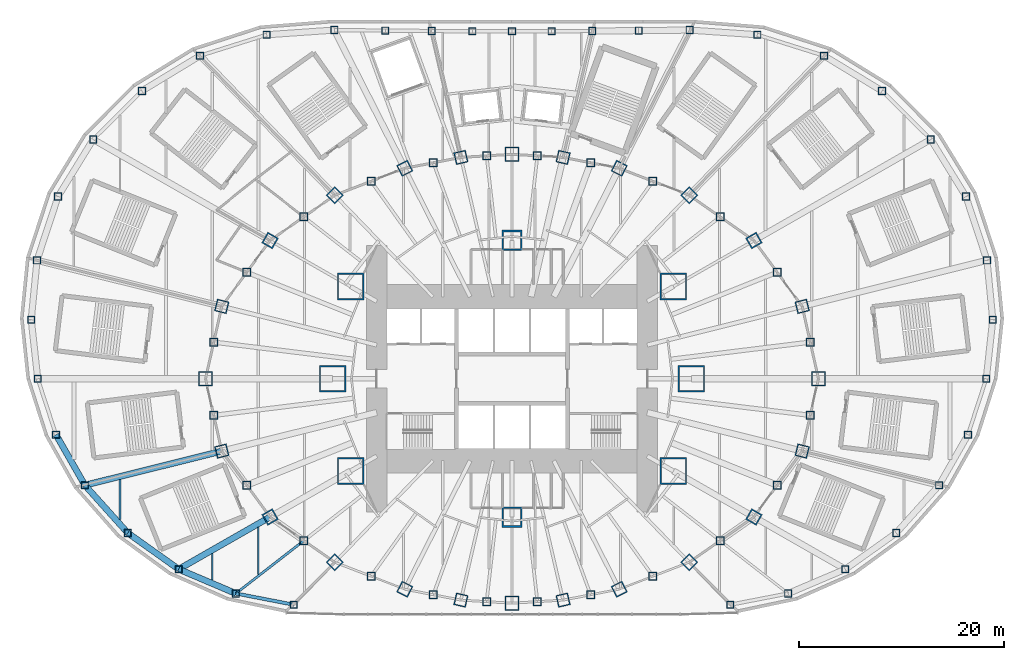
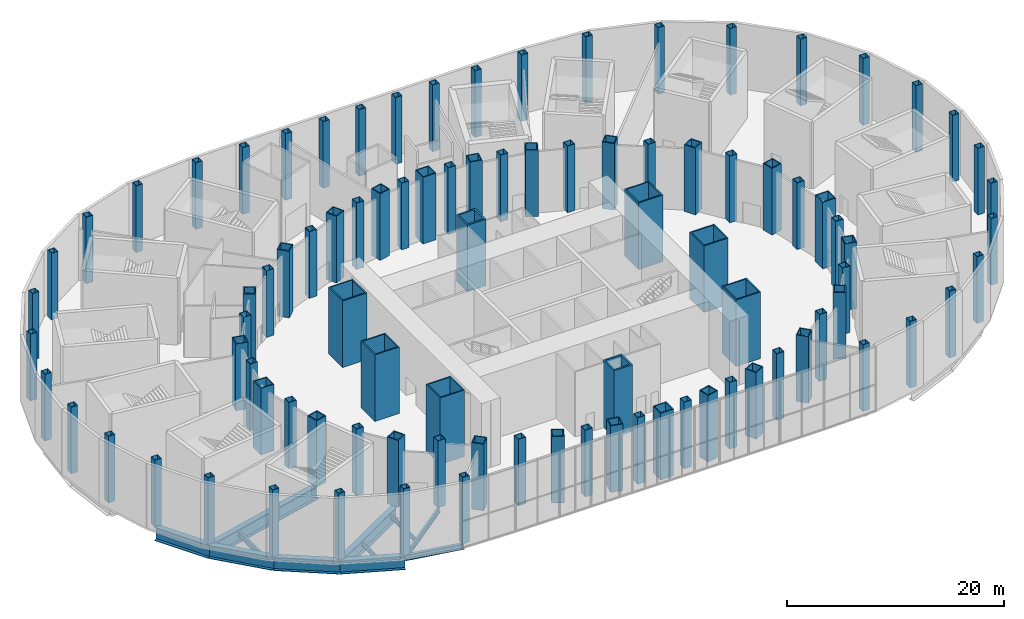
# One storey, part 1 of 73: 93 columns, 11 beams.
"""IFC4 building model written with IfcOpenShell, lengths in metres."""

import ifcopenshell
import ifcopenshell.guid

model = None  # the IFC model being written
_history = None  # IfcOwnerHistory: only IFC2X3 demands one
_inside = {}  # id of a spatial element -> (the spatial element, [elements in it])
_under = {}  # id of a project, library or spatial element -> (it, [spatial elements below it])
_declared = {}  # id of a project -> (the project, [libraries it declares])
_typed = {}  # id of a type object -> (the type object, [elements of that type])
_made_of = {}  # id of a material, layer set ... -> (it, [elements and type objects made of it])


def new_model(schema):
    """Start an empty IFC model of exactly this schema.

    Asked for "IFC4X3", IfcOpenShell would pick the latest addendum, in which some entities
    have other attributes; the version numbers below select the first issue.
    IFC2X3 requires an IfcOwnerHistory on every rooted entity: one is made here for all.
    """
    global model, _history
    if schema == "IFC4X3":
        model = ifcopenshell.file(schema_version=(4, 3, 0, 0))
    else:
        model = ifcopenshell.file(schema=schema)
    _inside.clear()
    _under.clear()
    _declared.clear()
    _typed.clear()
    _made_of.clear()
    _history = None
    if model.schema == "IFC2X3":
        org = make("IfcOrganization", Name="unknown")
        user = make(
            "IfcPersonAndOrganization",
            ThePerson=make("IfcPerson", FamilyName="unknown"),
            TheOrganization=org,
        )
        app = make(
            "IfcApplication",
            ApplicationDeveloper=org,
            Version="unknown",
            ApplicationFullName="unknown",
            ApplicationIdentifier="unknown",
        )
        _history = make(
            "IfcOwnerHistory",
            OwningUser=user,
            OwningApplication=app,
            ChangeAction="ADDED",
            CreationDate=0,
        )
    return model


def make(cls, **values):
    """One entity of the class cls with the attributes given. An attribute that is None is left unset."""
    return model.create_entity(
        cls, **{name: value for name, value in values.items() if value is not None}
    )


def rooted(cls, **values):
    """An entity with a GlobalId (a new one), such as an element, a storey or a relation."""
    return make(cls, GlobalId=ifcopenshell.guid.new(), OwnerHistory=_history, **values)


def si_unit(unit_type, name, prefix=None):
    """IfcSIUnit, for example si_unit("LENGTHUNIT", "METRE", prefix="MILLI")."""
    return make("IfcSIUnit", UnitType=unit_type, Prefix=prefix, Name=name)


def assignment(units):
    """IfcUnitAssignment: the units of a project."""
    return None if units is None else make("IfcUnitAssignment", Units=units)


def point(xyz):
    """IfcCartesianPoint."""
    return None if xyz is None else make("IfcCartesianPoint", Coordinates=xyz)


def direction(xyz):
    """IfcDirection."""
    return None if xyz is None else make("IfcDirection", DirectionRatios=xyz)


def frame(location, z_axis=None, x_axis=None):
    """IfcAxis2Placement3D, a coordinate frame: its origin and axes. An axis left out is left unset."""
    return make(
        "IfcAxis2Placement3D",
        Location=point(location),
        Axis=direction(z_axis),
        RefDirection=direction(x_axis),
    )


def frame_2d(location, x_axis=None):
    """IfcAxis2Placement2D, a coordinate frame in the plane: its origin and x axis."""
    return make(
        "IfcAxis2Placement2D", Location=point(location), RefDirection=direction(x_axis)
    )


def origin():
    """The frame at (0, 0, 0) with its axes left unset."""
    return frame((0.0, 0.0, 0.0))


def origin_2d():
    """The frame at (0, 0) in the plane with its x axis left unset."""
    return frame_2d((0.0, 0.0))


def place(relative_to, where):
    """IfcLocalPlacement: puts the frame where relative to a parent placement (None: the world)."""
    return make(
        "IfcLocalPlacement", PlacementRelTo=relative_to, RelativePlacement=where
    )


def context(
    kind, dimensions, precision=None, world=None, true_north=None, identifier=None
):
    """IfcGeometricRepresentationContext, for example the 3D "Model" context."""
    return make(
        "IfcGeometricRepresentationContext",
        ContextIdentifier=identifier,
        ContextType=kind,
        CoordinateSpaceDimension=dimensions,
        Precision=precision,
        WorldCoordinateSystem=world,
        TrueNorth=true_north,
    )


def subcontext(parent, identifier, kind, view, scale=None):
    """IfcGeometricRepresentationSubContext, for example "Body" below "Model"."""
    return make(
        "IfcGeometricRepresentationSubContext",
        ContextIdentifier=identifier,
        ContextType=kind,
        ParentContext=parent,
        TargetScale=scale,
        TargetView=view,
    )


def project(units=None, contexts=None):
    """IfcProject with its units and contexts."""
    return rooted(
        "IfcProject",
        Name="project",
        RepresentationContexts=contexts,
        UnitsInContext=assignment(units),
    )


def spatial(cls, under=None, at=None, **own):
    """A site, building, storey or space (cls), placed at a placement, below another one or the project."""
    s = rooted(cls, ObjectPlacement=at, **own)
    if under is not None:
        _under.setdefault(under.id(), (under, []))[1].append(s)
    return s


def profile(cls, at=None, kind="AREA", **sizes):
    """A parametric profile (cls). Its sizes go by their IFC names, for example OverallWidth=200.0."""
    return make(cls, ProfileType=kind, Position=at, **sizes)


def rectangle(**sizes):
    """IfcRectangleProfileDef."""
    return profile("IfcRectangleProfileDef", **sizes)


def hollow_rectangle(**sizes):
    """IfcRectangleHollowProfileDef."""
    return profile("IfcRectangleHollowProfileDef", **sizes)


def i_section(**sizes):
    """IfcIShapeProfileDef."""
    return profile("IfcIShapeProfileDef", **sizes)


def extrude(swept, where, along, depth):
    """IfcExtrudedAreaSolid: the profile swept, set in the frame where, extruded along a direction by depth."""
    return make(
        "IfcExtrudedAreaSolid",
        SweptArea=swept,
        Position=where,
        ExtrudedDirection=direction(along),
        Depth=depth,
    )


def shape(context_of_items, identifier, shape_type, items):
    """IfcShapeRepresentation: the items that make up one representation, for example the "Body"."""
    return make(
        "IfcShapeRepresentation",
        ContextOfItems=context_of_items,
        RepresentationIdentifier=identifier,
        RepresentationType=shape_type,
        Items=items,
    )


def material(Name=None, Category=None):
    """IfcMaterial."""
    return make("IfcMaterial", Name=Name, Category=Category)


def material_profile(
    of_material, cross_section, Name=None, Category=None, Priority=None
):
    """IfcMaterialProfile: a cross section and its material."""
    return make(
        "IfcMaterialProfile",
        Name=Name,
        Material=of_material,
        Profile=cross_section,
        Priority=Priority,
        Category=Category,
    )


def profile_set(profiles, Name=None, composite=None):
    """IfcMaterialProfileSet."""
    return make(
        "IfcMaterialProfileSet",
        Name=Name,
        MaterialProfiles=profiles,
        CompositeProfile=composite,
    )


def made_of(thing, what):
    """Note that an element or type object is made of a material, layer set ...; save() writes the relation."""
    if what is not None:
        _made_of.setdefault(what.id(), (what, []))[1].append(thing)
    return thing


def type_object(cls, material=None, **own):
    """A type object (cls), such as IfcWallType, which elements share."""
    return made_of(rooted(cls, **own), material)


def element(
    cls,
    number,
    at=None,
    inside=None,
    cuts=None,
    type_object=None,
    material=None,
    context=None,
    identifier="Body",
    shape_type=None,
    held_by="IfcProductDefinitionShape",
    body=None,
    shapes=None,
    **own,
):
    """One element of the class cls, such as IfcWall. Its Tag is "e" and its number.

    at: its placement. inside: the storey or other place that contains it. cuts: it is an
    opening in that element (IfcRelVoidsElement). A single representation is given by context,
    identifier, shape_type and body (its items); several are given by shapes. held_by: the class
    of the entity that holds the representations. save() writes the other relations.
    """
    e = rooted(cls, Tag="e%d" % number, ObjectPlacement=at, **own)
    if body is not None:
        shapes = [shape(context, identifier, shape_type, body)]
    if shapes is not None:
        e.Representation = make(held_by, Representations=shapes)
    if inside is not None:
        _inside.setdefault(inside.id(), (inside, []))[1].append(e)
    if cuts is not None:
        rooted(
            "IfcRelVoidsElement", RelatingBuildingElement=cuts, RelatedOpeningElement=e
        )
    if type_object is not None:
        _typed.setdefault(type_object.id(), (type_object, []))[1].append(e)
    return made_of(e, material)


def aggregate(whole, parts):
    """IfcRelAggregates: a whole, such as a stair, and the parts it consists of."""
    return rooted("IfcRelAggregates", RelatingObject=whole, RelatedObjects=parts)


def save(model, path):
    """Write the relations noted so far, then the file.

    IfcRelAggregates (storeys below a building ...), IfcRelContainedInSpatialStructure (elements
    in a storey), IfcRelDefinesByType, IfcRelAssociatesMaterial and IfcRelDeclares: one each for
    every whole, place, type object, material and project.
    """
    for whole, parts in _under.values():
        aggregate(whole, parts)
    for where, things in _inside.values():
        rooted(
            "IfcRelContainedInSpatialStructure",
            RelatedElements=things,
            RelatingStructure=where,
        )
    for kind, things in _typed.values():
        rooted("IfcRelDefinesByType", RelatedObjects=things, RelatingType=kind)
    for what, things in _made_of.values():
        rooted("IfcRelAssociatesMaterial", RelatedObjects=things, RelatingMaterial=what)
    for by, libraries in _declared.values():
        rooted("IfcRelDeclares", RelatingContext=by, RelatedDefinitions=libraries)
    model.write(path)


model = new_model("IFC4")

# Units and contexts
model_context = context("Model", 3, precision=1e-05, world=origin(), true_north=direction((0.0, 1.0)))
body_context = subcontext(model_context, "Body", "Model", "MODEL_VIEW")
ifc_project = project(units=[si_unit("LENGTHUNIT", "METRE"), si_unit("AREAUNIT", "SQUARE_METRE"), si_unit("VOLUMEUNIT", "CUBIC_METRE"), si_unit("PLANEANGLEUNIT", "RADIAN"), si_unit("MASSUNIT", "GRAM", prefix="KILO")], contexts=[model_context])

# Site, building, storey
site_placement = place(None, origin())
site = spatial("IfcSite", under=ifc_project, at=site_placement, CompositionType="ELEMENT")
building_placement = place(site_placement, origin())
building = spatial("IfcBuilding", under=site, at=building_placement, Name="Lantaw Convention Tower", CompositionType="ELEMENT")
storey_placement = place(building_placement, frame((0.0, 0.0, 14.5)))
storey = spatial("IfcBuildingStorey", under=building, at=storey_placement, Name="L02", CompositionType="ELEMENT", Elevation=14.5)

# Columns
ifc_material_1 = material(Name="Steel EN 10025-3 S460N", Category="steel")
ifc_material_profile_1 = material_profile(ifc_material_1, hollow_rectangle(XDim=2.0, YDim=2.0, WallThickness=0.169921875, at=origin_2d()), Name="BOX2000X170")
ifc_material_2 = material(Name="Concrete C60/75", Category="concrete")
ifc_material_profile_2 = material_profile(ifc_material_2, rectangle(XDim=1.659912109375, YDim=1.659912109375, at=origin_2d()), Name="Concrete fill of BOX2000X170")
ifc_profile_set_1 = profile_set([ifc_material_profile_1, ifc_material_profile_2], Name="Steel EN 10025-3 S460N")
column_type_1 = type_object("IfcColumnType", Name="Column MC BOX2000X170", PredefinedType="COLUMN", material=ifc_profile_set_1)
for number, where, z_axis, x_axis, name in (
    (1, (0.0, 13.5, 0.0), (0.0, 0.0, 1.0), (1.0, 0.0, 0.0), "Mega column M3"),
    (2, (0.0, -13.5, 0.0), (0.0, 0.0, 1.0), (1.0, 0.0, 0.0), "Mega column M7"),
):
    element("IfcColumn", number, at=place(storey_placement, frame(where, z_axis=z_axis, x_axis=x_axis)), inside=storey, type_object=column_type_1, Name=name, PredefinedType="COLUMN", context=body_context, shape_type="SweptSolid", body=[
        extrude(hollow_rectangle(XDim=2.0, YDim=2.0, WallThickness=0.169921875, at=origin_2d()), origin(), (0.0, 0.0, 1.0), 7.5),
    ])
ifc_material_profile_3 = material_profile(ifc_material_1, hollow_rectangle(XDim=2.60009765625, YDim=2.60009765625, WallThickness=0.1298828125, at=origin_2d()), Name="BOX2600X130")
ifc_material_profile_4 = material_profile(ifc_material_2, rectangle(XDim=2.340087890625, YDim=2.340087890625, at=origin_2d()), Name="Concrete fill of BOX2600X130")
ifc_profile_set_2 = profile_set([ifc_material_profile_3, ifc_material_profile_4], Name="Steel EN 10025-3 S460N")
column_type_2 = type_object("IfcColumnType", Name="Column MC BOX2600X130", PredefinedType="COLUMN", material=ifc_profile_set_2)
for number, where, z_axis, x_axis, name in (
    (3, (17.5, 0.0, 0.0), (0.0, 0.0, 1.0), (1.0, 0.0, 0.0), "Mega column M1"),
    (4, (15.75, 9.0, 0.0), (0.0, 0.0, 1.0), (1.0, 0.0, 0.0), "Mega column M2"),
    (5, (-15.75, 9.0, 0.0), (0.0, 0.0, 1.0), (1.0, 0.0, 0.0), "Mega column M4"),
    (6, (-17.5, 0.0, 0.0), (0.0, 0.0, 1.0), (1.0, 0.0, 0.0), "Mega column M5"),
    (7, (-15.75, -9.0, 0.0), (0.0, 0.0, 1.0), (1.0, 0.0, 0.0), "Mega column M6"),
    (8, (15.75, -9.0, 0.0), (0.0, 0.0, 1.0), (1.0, 0.0, 0.0), "Mega column M8"),
):
    element("IfcColumn", number, at=place(storey_placement, frame(where, z_axis=z_axis, x_axis=x_axis)), inside=storey, type_object=column_type_2, Name=name, PredefinedType="COLUMN", context=body_context, shape_type="SweptSolid", body=[
        extrude(hollow_rectangle(XDim=2.60009765625, YDim=2.60009765625, WallThickness=0.1298828125, at=origin_2d()), origin(), (0.0, 0.0, 1.0), 7.5),
    ])
ifc_material_profile_5 = material_profile(ifc_material_1, hollow_rectangle(XDim=1.199951171875, YDim=1.199951171875, WallThickness=0.10009765625, at=origin_2d()), Name="BOX1200X100")
ifc_material_profile_6 = material_profile(ifc_material_2, rectangle(XDim=1.0, YDim=1.0, at=origin_2d()), Name="Concrete fill of BOX1200X100")
ifc_profile_set_3 = profile_set([ifc_material_profile_5, ifc_material_profile_6], Name="Steel EN 10025-3 S460N")
column_type_3 = type_object("IfcColumnType", Name="Column PC BOX1200X100", PredefinedType="COLUMN", material=ifc_profile_set_3)
for number, where, z_axis, x_axis, name in (
    (9, (28.31787109375, 7.060302734375, 0.0), (0.0, 0.0, 1.0), (0.970295726276, 0.2419218956, 0.0), "Perimeter column P2"),
    (10, (17.290771484375, 17.9052734375, 0.0), (0.0, 0.0, 1.0), (0.694658370459, 0.719339800339, 0.0), "Perimeter column P4"),
    (11, (10.462646484375, 20.533935546875, 0.0), (0.0, 0.0, 1.0), (0.45399049974, 0.891006524188, 0.0), "Perimeter column P5"),
    (12, (4.986328125, 21.59814453125, 0.0), (0.0, 0.0, 1.0), (0.224951054344, 0.974370064785, 0.0), "Perimeter column P6"),
    (13, (-4.986328125, 21.59814453125, 0.0), (0.0, 0.0, 1.0), (0.974370064785, 0.224951054344, 0.0), "Perimeter column P8"),
    (14, (-10.462646484375, 20.533935546875, 0.0), (0.0, 0.0, 1.0), (0.891006524188, 0.45399049974, 0.0), "Perimeter column P9"),
    (15, (-17.290771484375, 17.9052734375, 0.0), (0.0, 0.0, 1.0), (0.719339800339, 0.694658370459, 0.0), "Perimeter column P10"),
    (16, (-28.31787109375, 7.060302734375, 0.0), (0.0, 0.0, 1.0), (0.2419218956, 0.970295726276, 0.0), "Perimeter column P12"),
    (17, (-28.31787109375, -7.060302734375, 0.0), (0.0, 0.0, 1.0), (0.970295726276, 0.2419218956, 0.0), "Perimeter column P14"),
    (18, (-17.290771484375, -17.9052734375, 0.0), (0.0, 0.0, 1.0), (0.694658370459, 0.719339800339, 0.0), "Perimeter column P16"),
    (19, (-10.462646484375, -20.533935546875, 0.0), (0.0, 0.0, 1.0), (0.45399049974, 0.891006524188, 0.0), "Perimeter column P17"),
    (20, (-4.986328125, -21.59814453125, 0.0), (0.0, 0.0, 1.0), (0.224951054344, 0.974370064785, 0.0), "Perimeter column P18"),
    (21, (4.986328125, -21.59814453125, 0.0), (0.0, 0.0, 1.0), (0.974370064785, 0.224951054344, 0.0), "Perimeter column P20"),
    (22, (10.462646484375, -20.533935546875, 0.0), (0.0, 0.0, 1.0), (0.891006524188, 0.45399049974, 0.0), "Perimeter column P21"),
    (23, (17.290771484375, -17.9052734375, 0.0), (0.0, 0.0, 1.0), (0.719339800339, 0.694658370459, 0.0), "Perimeter column P22"),
    (24, (28.31787109375, -7.060302734375, 0.0), (0.0, 0.0, 1.0), (0.2419218956, 0.970295726276, 0.0), "Perimeter column P24"),
):
    element("IfcColumn", number, at=place(storey_placement, frame(where, z_axis=z_axis, x_axis=x_axis)), inside=storey, type_object=column_type_3, Name=name, PredefinedType="COLUMN", context=body_context, shape_type="SweptSolid", body=[
        extrude(hollow_rectangle(XDim=1.199951171875, YDim=1.199951171875, WallThickness=0.10009765625, at=origin_2d()), origin(), (0.0, 0.0, 1.0), 7.5),
    ])
ifc_material_profile_7 = material_profile(ifc_material_1, hollow_rectangle(XDim=1.199951171875, YDim=1.199951171875, WallThickness=0.1201171875, at=origin_2d()), Name="BOX1200X120")
ifc_material_profile_8 = material_profile(ifc_material_2, rectangle(XDim=0.9599609375, YDim=0.9599609375, at=origin_2d()), Name="Concrete fill of BOX1200X120")
ifc_profile_set_4 = profile_set([ifc_material_profile_7, ifc_material_profile_8], Name="Steel EN 10025-3 S460N")
column_type_4 = type_object("IfcColumnType", Name="Column PC BOX1200X120", PredefinedType="COLUMN", material=ifc_profile_set_4)
for number, where, z_axis, x_axis, name in (
    (25, (23.60498046875, 13.488525390625, 0.0), (0.0, 0.0, 1.0), (0.86824298017, 0.496139221777, 0.0), "Perimeter column P3"),
    (26, (-23.60498046875, 13.488525390625, 0.0), (0.0, 0.0, 1.0), (0.496139221777, 0.86824298017, 0.0), "Perimeter column P11"),
    (27, (-23.60498046875, -13.488525390625, 0.0), (0.0, 0.0, 1.0), (0.86824298017, 0.496139221777, 0.0), "Perimeter column P15"),
    (28, (23.60498046875, -13.488525390625, 0.0), (0.0, 0.0, 1.0), (0.496139221777, 0.86824298017, 0.0), "Perimeter column P23"),
):
    element("IfcColumn", number, at=place(storey_placement, frame(where, z_axis=z_axis, x_axis=x_axis)), inside=storey, type_object=column_type_4, Name=name, PredefinedType="COLUMN", context=body_context, shape_type="SweptSolid", body=[
        extrude(hollow_rectangle(XDim=1.199951171875, YDim=1.199951171875, WallThickness=0.1201171875, at=origin_2d()), origin(), (0.0, 0.0, 1.0), 7.5),
    ])
ifc_material_profile_9 = material_profile(ifc_material_1, hollow_rectangle(XDim=1.39990234375, YDim=1.39990234375, WallThickness=0.10009765625, at=origin_2d()), Name="BOX1400X100")
ifc_material_profile_10 = material_profile(ifc_material_2, rectangle(XDim=1.199951171875, YDim=1.199951171875, at=origin_2d()), Name="Concrete fill of BOX1400X100")
ifc_profile_set_5 = profile_set([ifc_material_profile_9, ifc_material_profile_10], Name="Steel EN 10025-3 S460N")
column_type_5 = type_object("IfcColumnType", Name="Column PC BOX1400X100", PredefinedType="COLUMN", material=ifc_profile_set_5)
for number, where, z_axis, x_axis, name in (
    (29, (29.89990234375, 0.0, 0.0), (0.0, 0.0, 1.0), (1.0, 0.0, 0.0), "Perimeter column P1"),
    (30, (0.0, 21.89990234375, 0.0), (0.0, 0.0, 1.0), (1.0, 0.0, 0.0), "Perimeter column P7"),
    (31, (-29.89990234375, 0.0, 0.0), (0.0, 0.0, 1.0), (1.0, 0.0, 0.0), "Perimeter column P13"),
    (32, (0.0, -21.89990234375, 0.0), (0.0, 0.0, 1.0), (1.0, 0.0, 0.0), "Perimeter column P19"),
):
    element("IfcColumn", number, at=place(storey_placement, frame(where, z_axis=z_axis, x_axis=x_axis)), inside=storey, type_object=column_type_5, Name=name, PredefinedType="COLUMN", context=body_context, shape_type="SweptSolid", body=[
        extrude(hollow_rectangle(XDim=1.39990234375, YDim=1.39990234375, WallThickness=0.10009765625, at=origin_2d()), origin(), (0.0, 0.0, 1.0), 7.5),
    ])
ifc_material_3 = material(Name="Steel ASTM A572 Grade 50", Category="steel")
ifc_material_profile_11 = material_profile(ifc_material_3, hollow_rectangle(XDim=0.800048828125, YDim=0.800048828125, WallThickness=0.050048828125, at=origin_2d()), Name="BOX800X50")
ifc_profile_set_6 = profile_set([ifc_material_profile_11], Name="Steel ASTM A572 Grade 50")
column_type_6 = type_object("IfcColumnType", Name="Column QC BOX800X50", PredefinedType="COLUMN", material=ifc_profile_set_6)
for number, where, z_axis, x_axis, name in (
    (33, (29.099365234375, 3.572998046875, 0.0), (0.0, 0.0, 1.0), (1.0, 0.0, 0.0), "Podium ring column Q1"),
    (34, (25.8779296875, 10.388427734375, 0.0), (0.0, 0.0, 1.0), (1.0, 0.0, 0.0), "Podium ring column Q2"),
    (35, (20.30859375, 15.794189453125, 0.0), (0.0, 0.0, 1.0), (1.0, 0.0, 0.0), "Podium ring column Q3"),
    (36, (13.745361328125, 19.270263671875, 0.0), (0.0, 0.0, 1.0), (1.0, 0.0, 0.0), "Podium ring column Q4"),
    (37, (7.671142578125, 21.076416015625, 0.0), (0.0, 0.0, 1.0), (1.0, 0.0, 0.0), "Podium ring column Q5"),
    (38, (2.47802734375, 21.75, 0.0), (0.0, 0.0, 1.0), (1.0, 0.0, 0.0), "Podium ring column Q6"),
    (39, (-2.47802734375, 21.75, 0.0), (0.0, 0.0, 1.0), (1.0, 0.0, 0.0), "Podium ring column Q7"),
    (40, (-7.671142578125, 21.076416015625, 0.0), (0.0, 0.0, 1.0), (1.0, 0.0, 0.0), "Podium ring column Q8"),
    (41, (-13.745361328125, 19.270263671875, 0.0), (0.0, 0.0, 1.0), (1.0, 0.0, 0.0), "Podium ring column Q9"),
    (42, (-20.30859375, 15.794189453125, 0.0), (0.0, 0.0, 1.0), (1.0, 0.0, 0.0), "Podium ring column Q10"),
    (43, (-25.8779296875, 10.388427734375, 0.0), (0.0, 0.0, 1.0), (1.0, 0.0, 0.0), "Podium ring column Q11"),
    (44, (-29.099365234375, 3.572998046875, 0.0), (0.0, 0.0, 1.0), (1.0, 0.0, 0.0), "Podium ring column Q12"),
    (45, (-29.099365234375, -3.572998046875, 0.0), (0.0, 0.0, 1.0), (1.0, 0.0, 0.0), "Podium ring column Q13"),
    (46, (-25.8779296875, -10.388427734375, 0.0), (0.0, 0.0, 1.0), (1.0, 0.0, 0.0), "Podium ring column Q14"),
    (47, (-20.30859375, -15.794189453125, 0.0), (0.0, 0.0, 1.0), (1.0, 0.0, 0.0), "Podium ring column Q15"),
    (48, (-13.745361328125, -19.270263671875, 0.0), (0.0, 0.0, 1.0), (1.0, 0.0, 0.0), "Podium ring column Q16"),
    (49, (-7.671142578125, -21.076416015625, 0.0), (0.0, 0.0, 1.0), (1.0, 0.0, 0.0), "Podium ring column Q17"),
    (50, (-2.47802734375, -21.75, 0.0), (0.0, 0.0, 1.0), (1.0, 0.0, 0.0), "Podium ring column Q18"),
    (51, (2.47802734375, -21.75, 0.0), (0.0, 0.0, 1.0), (1.0, 0.0, 0.0), "Podium ring column Q19"),
    (52, (7.671142578125, -21.076416015625, 0.0), (0.0, 0.0, 1.0), (1.0, 0.0, 0.0), "Podium ring column Q20"),
    (53, (13.745361328125, -19.270263671875, 0.0), (0.0, 0.0, 1.0), (1.0, 0.0, 0.0), "Podium ring column Q21"),
    (54, (20.308837890625, -15.794189453125, 0.0), (0.0, 0.0, 1.0), (1.0, 0.0, 0.0), "Podium ring column Q22"),
    (55, (25.8779296875, -10.388427734375, 0.0), (0.0, 0.0, 1.0), (1.0, 0.0, 0.0), "Podium ring column Q23"),
    (56, (29.099365234375, -3.572998046875, 0.0), (0.0, 0.0, 1.0), (1.0, 0.0, 0.0), "Podium ring column Q24"),
):
    element("IfcColumn", number, at=place(storey_placement, frame(where, z_axis=z_axis, x_axis=x_axis)), inside=storey, type_object=column_type_6, Name=name, PredefinedType="COLUMN", context=body_context, shape_type="SweptSolid", body=[
        extrude(hollow_rectangle(XDim=0.800048828125, YDim=0.800048828125, WallThickness=0.050048828125, at=origin_2d()), origin(), (0.0, 0.0, 1.0), 7.5),
    ])
ifc_material_profile_12 = material_profile(ifc_material_3, hollow_rectangle(XDim=0.699951171875, YDim=0.699951171875, WallThickness=0.0400390625, at=origin_2d()), Name="BOX700X40")
ifc_profile_set_7 = profile_set([ifc_material_profile_12], Name="Steel ASTM A572 Grade 50")
column_type_7 = type_object("IfcColumnType", Name="Column RC BOX700X40", PredefinedType="COLUMN", material=ifc_profile_set_7)
for number, where, z_axis, x_axis, name in (
    (57, (46.907958984375, 5.759521484375, 0.0), (0.0, 0.0, 1.0), (1.0, 0.0, 0.0), "Podium column B00"),
    (58, (44.29248046875, 17.78076171875, 0.0), (0.0, 0.0, 1.0), (1.0, 0.0, 0.0), "Podium column B01"),
    (59, (36.107666015625, 28.081298828125, 0.0), (0.0, 0.0, 1.0), (1.0, 0.0, 0.0), "Podium column B02"),
    (60, (23.940185546875, 33.562744140625, 0.0), (0.0, 0.0, 1.0), (1.0, 0.0, 0.0), "Podium column B03"),
    (61, (12.36279296875, 33.96630859375, 0.0), (0.0, 0.0, 1.0), (1.0, 0.0, 0.0), "Podium column B04"),
    (62, (3.86328125, 33.906982421875, 0.0), (0.0, 0.0, 1.0), (1.0, 0.0, 0.0), "Podium column B05"),
    (63, (-3.86328125, 33.906982421875, 0.0), (0.0, 0.0, 1.0), (1.0, 0.0, 0.0), "Podium column B06"),
    (64, (-12.36279296875, 33.96630859375, 0.0), (0.0, 0.0, 1.0), (1.0, 0.0, 0.0), "Podium column B07"),
    (65, (-23.940185546875, 33.562744140625, 0.0), (0.0, 0.0, 1.0), (1.0, 0.0, 0.0), "Podium column B08"),
    (66, (-36.107666015625, 28.081298828125, 0.0), (0.0, 0.0, 1.0), (1.0, 0.0, 0.0), "Podium column B09"),
    (67, (-44.29248046875, 17.78076171875, 0.0), (0.0, 0.0, 1.0), (1.0, 0.0, 0.0), "Podium column B10"),
    (68, (-46.907958984375, 5.759521484375, 0.0), (0.0, 0.0, 1.0), (1.0, 0.0, 0.0), "Podium column B11"),
    (69, (-44.488525390625, -5.46240234375, 0.0), (0.0, 0.0, 1.0), (1.0, 0.0, 0.0), "Podium column B12"),
    (70, (-37.486572265625, -15.048583984375, 0.0), (0.0, 0.0, 1.0), (1.0, 0.0, 0.0), "Podium column B13"),
    (71, (-26.94287109375, -20.95361328125, 0.0), (0.0, 0.0, 1.0), (1.0, 0.0, 0.0), "Podium column B14"),
    (72, (26.94287109375, -20.95361328125, 0.0), (0.0, 0.0, 1.0), (1.0, 0.0, 0.0), "Podium column B21"),
    (73, (37.486572265625, -15.048583984375, 0.0), (0.0, 0.0, 1.0), (1.0, 0.0, 0.0), "Podium column B22"),
    (74, (44.488525390625, -5.46240234375, 0.0), (0.0, 0.0, 1.0), (1.0, 0.0, 0.0), "Podium column B23"),
    (75, (46.2724609375, 0.0, 0.0), (0.0, 0.0, 1.0), (1.0, 0.0, 0.0), "Podium column R00"),
    (76, (46.342529296875, 11.554443359375, 0.0), (0.0, 0.0, 1.0), (1.0, 0.0, 0.0), "Podium column R01"),
    (77, (40.864013671875, 23.350830078125, 0.0), (0.0, 0.0, 1.0), (1.0, 0.0, 0.0), "Podium column R02"),
    (78, (30.43603515625, 31.517578125, 0.0), (0.0, 0.0, 1.0), (1.0, 0.0, 0.0), "Podium column R03"),
    (79, (17.333984375, 34.019775390625, 0.0), (0.0, 0.0, 1.0), (1.0, 0.0, 0.0), "Podium column R04"),
    (80, (7.8330078125, 33.92822265625, 0.0), (0.0, 0.0, 1.0), (1.0, 0.0, 0.0), "Podium column R05"),
    (81, (0.0, 33.89990234375, 0.0), (0.0, 0.0, 1.0), (1.0, 0.0, 0.0), "Podium column R06"),
    (82, (-7.8330078125, 33.92822265625, 0.0), (0.0, 0.0, 1.0), (1.0, 0.0, 0.0), "Podium column R07"),
    (83, (-17.333984375, 34.019775390625, 0.0), (0.0, 0.0, 1.0), (1.0, 0.0, 0.0), "Podium column R08"),
    (84, (-30.43603515625, 31.517578125, 0.0), (0.0, 0.0, 1.0), (1.0, 0.0, 0.0), "Podium column R09"),
    (85, (-40.864013671875, 23.350830078125, 0.0), (0.0, 0.0, 1.0), (1.0, 0.0, 0.0), "Podium column R10"),
    (86, (-46.342529296875, 11.554443359375, 0.0), (0.0, 0.0, 1.0), (1.0, 0.0, 0.0), "Podium column R11"),
    (87, (-46.2724609375, 0.0, 0.0), (0.0, 0.0, 1.0), (1.0, 0.0, 0.0), "Podium column R12"),
    (88, (-41.67236328125, -10.39013671875, 0.0), (0.0, 0.0, 1.0), (1.0, 0.0, 0.0), "Podium column R13"),
    (89, (-32.5205078125, -18.5830078125, 0.0), (0.0, 0.0, 1.0), (1.0, 0.0, 0.0), "Podium column R14"),
    (90, (-21.290771484375, -22.04736328125, 0.0), (0.0, 0.0, 1.0), (1.0, 0.0, 0.0), "Podium column R15"),
    (91, (21.290771484375, -22.04736328125, 0.0), (0.0, 0.0, 1.0), (1.0, 0.0, 0.0), "Podium column R21"),
    (92, (32.5205078125, -18.5830078125, 0.0), (0.0, 0.0, 1.0), (1.0, 0.0, 0.0), "Podium column R22"),
    (93, (41.67236328125, -10.39013671875, 0.0), (0.0, 0.0, 1.0), (1.0, 0.0, 0.0), "Podium column R23"),
):
    element("IfcColumn", number, at=place(storey_placement, frame(where, z_axis=z_axis, x_axis=x_axis)), inside=storey, type_object=column_type_7, Name=name, PredefinedType="COLUMN", context=body_context, shape_type="SweptSolid", body=[
        extrude(hollow_rectangle(XDim=0.699951171875, YDim=0.699951171875, WallThickness=0.0400390625, at=origin_2d()), origin(), (0.0, 0.0, 1.0), 7.5),
    ])

# Beams
ifc_material_profile_13 = material_profile(ifc_material_3, i_section(OverallWidth=0.60009765625, OverallDepth=1.5, WebThickness=0.02490234375, FlangeThickness=0.06005859375, at=origin_2d()), Name="PG1500X600X25X60")
ifc_profile_set_8 = profile_set([ifc_material_profile_13], Name="Steel ASTM A572 Grade 50")
beam_type_1 = type_object("IfcBeamType", Name="Beam E PG1500X600X25X60", PredefinedType="SPANDREL", material=ifc_profile_set_8)
beam_1_placement = place(storey_placement, frame((-44.488525390625, -5.46240234375, -0.949951171875), z_axis=(0.496180629465, -0.868219317306, 0.0), x_axis=(0.868219317306, 0.496180629465, 0.0)))
element("IfcBeam", 94, at=beam_1_placement, inside=storey, type_object=beam_type_1, Name="Podium edge beam B12", PredefinedType="SPANDREL", context=body_context, shape_type="SweptSolid", body=[
    extrude(i_section(OverallWidth=0.60009765625, OverallDepth=1.5, WebThickness=0.02490234375, FlangeThickness=0.06005859375, at=origin_2d()), origin(), (0.0, 0.0, 1.0), 5.67578125),
])
beam_2_placement = place(storey_placement, frame((-41.67236328125, -10.39013671875, -0.949951171875), z_axis=(0.668363614772, -0.74383471178, 0.0), x_axis=(0.74383471178, 0.668363614772, 0.0)))
element("IfcBeam", 95, at=beam_2_placement, inside=storey, type_object=beam_type_1, Name="Podium edge beam R13", PredefinedType="SPANDREL", context=body_context, shape_type="SweptSolid", body=[
    extrude(i_section(OverallWidth=0.60009765625, OverallDepth=1.5, WebThickness=0.02490234375, FlangeThickness=0.06005859375, at=origin_2d()), origin(), (0.0, 0.0, 1.0), 6.2626953125),
])
beam_3_placement = place(storey_placement, frame((-37.486572265625, -15.048583984375, -0.949951171875), z_axis=(0.814722795246, -0.579850641895, 0.0), x_axis=(0.579850641895, 0.814722795246, 0.0)))
element("IfcBeam", 96, at=beam_3_placement, inside=storey, type_object=beam_type_1, Name="Podium edge beam B13", PredefinedType="SPANDREL", context=body_context, shape_type="SweptSolid", body=[
    extrude(i_section(OverallWidth=0.60009765625, OverallDepth=1.5, WebThickness=0.02490234375, FlangeThickness=0.06005859375, at=origin_2d()), origin(), (0.0, 0.0, 1.0), 6.095458984375),
])
beam_4_placement = place(storey_placement, frame((-32.5205078125, -18.5830078125, -0.949951171875), z_axis=(0.920324392734, -0.391155994636, 0.0), x_axis=(0.391155994636, 0.920324392734, 0.0)))
element("IfcBeam", 97, at=beam_4_placement, inside=storey, type_object=beam_type_1, Name="Podium edge beam R14", PredefinedType="SPANDREL", context=body_context, shape_type="SweptSolid", body=[
    extrude(i_section(OverallWidth=0.60009765625, OverallDepth=1.5, WebThickness=0.02490234375, FlangeThickness=0.06005859375, at=origin_2d()), origin(), (0.0, 0.0, 1.0), 6.060546875),
])
ifc_material_4 = material(Name="Steel ASTM A992", Category="steel")
ifc_material_profile_14 = material_profile(ifc_material_4, i_section(OverallWidth=0.3251953125, OverallDepth=0.612060546875, WebThickness=0.0126953125, FlangeThickness=0.01904296875, FilletRadius=0.0126953125, at=origin_2d()), Name="W24X104")
ifc_profile_set_9 = profile_set([ifc_material_profile_14], Name="Steel ASTM A992")
beam_type_2 = type_object("IfcBeamType", Name="Beam E W24X104", PredefinedType="SPANDREL", material=ifc_profile_set_9)
beam_5_placement = place(storey_placement, frame((-26.94287109375, -20.95361328125, -0.506103515625), z_axis=(0.981786485539, -0.18998762279, 0.0), x_axis=(0.18998762279, 0.981786485539, 0.0)))
element("IfcBeam", 98, at=beam_5_placement, inside=storey, type_object=beam_type_2, Name="Podium edge beam B14", PredefinedType="SPANDREL", context=body_context, shape_type="SweptSolid", body=[
    extrude(i_section(OverallWidth=0.3251953125, OverallDepth=0.612060546875, WebThickness=0.0126953125, FlangeThickness=0.01904296875, FilletRadius=0.0126953125, at=origin_2d()), origin(), (0.0, 0.0, 1.0), 5.7568359375),
])
ifc_material_profile_15 = material_profile(ifc_material_4, i_section(OverallWidth=0.1650390625, OverallDepth=0.52587890625, WebThickness=0.0087890625, FlangeThickness=0.011474609375, FilletRadius=0.0126953125, at=origin_2d()), Name="W21X44")
ifc_profile_set_10 = profile_set([ifc_material_profile_15], Name="Steel ASTM A992")
beam_type_3 = type_object("IfcBeamType", Name="Beam J W21X44", PredefinedType="JOIST", material=ifc_profile_set_10)
beam_6_placement = place(storey_placement, frame((-29.25, -19.647216796875, -0.462890625), z_axis=(0.0, 1.0, 0.0), x_axis=(-1.0, 0.0, 0.0)))
element("IfcBeam", 99, at=beam_6_placement, inside=storey, type_object=beam_type_3, Name="Floor joist", PredefinedType="JOIST", context=body_context, shape_type="SweptSolid", body=[
    extrude(i_section(OverallWidth=0.1650390625, OverallDepth=0.52587890625, WebThickness=0.0087890625, FlangeThickness=0.011474609375, FilletRadius=0.0126953125, at=origin_2d()), origin(), (0.0, 0.0, 1.0), 2.58740234375),
])
beam_7_placement = place(storey_placement, frame((-24.75, -19.103271484375, -0.462890625), z_axis=(0.0, 1.0, 0.0), x_axis=(-1.0, 0.0, 0.0)))
element("IfcBeam", 100, at=beam_7_placement, inside=storey, type_object=beam_type_3, Name="Floor joist", PredefinedType="JOIST", context=body_context, shape_type="SweptSolid", body=[
    extrude(i_section(OverallWidth=0.1650390625, OverallDepth=0.52587890625, WebThickness=0.0087890625, FlangeThickness=0.011474609375, FilletRadius=0.0126953125, at=origin_2d()), origin(), (0.0, 0.0, 1.0), 4.614990234375),
])
ifc_material_profile_16 = material_profile(ifc_material_4, i_section(OverallWidth=0.22900390625, OverallDepth=0.612060546875, WebThickness=0.011962890625, FlangeThickness=0.01953125, FilletRadius=0.0126953125, at=origin_2d()), Name="W24X84")
ifc_profile_set_11 = profile_set([ifc_material_profile_16], Name="Steel ASTM A992")
beam_type_4 = type_object("IfcBeamType", Name="Beam J W24X84", PredefinedType="JOIST", material=ifc_profile_set_11)
beam_8_placement = place(storey_placement, frame((-38.25, -13.75, -0.506103515625), z_axis=(0.0, 1.0, 0.0), x_axis=(-1.0, 0.0, 0.0)))
element("IfcBeam", 101, at=beam_8_placement, inside=storey, type_object=beam_type_4, Name="Floor joist", PredefinedType="JOIST", context=body_context, shape_type="SweptSolid", body=[
    extrude(i_section(OverallWidth=0.22900390625, OverallDepth=0.612060546875, WebThickness=0.011962890625, FlangeThickness=0.01953125, FilletRadius=0.0126953125, at=origin_2d()), origin(), (0.0, 0.0, 1.0), 3.904052734375),
])
ifc_material_profile_17 = material_profile(ifc_material_3, i_section(OverallWidth=0.60009765625, OverallDepth=1.5, WebThickness=0.02490234375, FlangeThickness=0.06005859375, at=origin_2d()), Name="PG1500X600X25X60")
ifc_profile_set_12 = profile_set([ifc_material_profile_17], Name="Steel ASTM A572 Grade 50")
beam_type_5 = type_object("IfcBeamType", Name="Beam PG PG1500X600X25X60", PredefinedType="BEAM", material=ifc_profile_set_12)
beam_9_placement = place(storey_placement, frame((-28.31787109375, -7.060302734375, -0.949951171875), z_axis=(-0.97029256898, -0.24193455847, 0.0), x_axis=(0.24193455847, -0.97029256898, 0.0)))
element("IfcBeam", 102, at=beam_9_placement, inside=storey, type_object=beam_type_5, Name="Podium girder PR14", PredefinedType="BEAM", context=body_context, shape_type="SweptSolid", body=[
    extrude(i_section(OverallWidth=0.60009765625, OverallDepth=1.5, WebThickness=0.02490234375, FlangeThickness=0.06005859375, at=origin_2d()), origin(), (0.0, 0.0, 1.0), 13.763427734375),
])
beam_10_placement = place(storey_placement, frame((-23.60498046875, -13.488525390625, -0.949951171875), z_axis=(-0.868247531483, -0.4961312569, 0.0), x_axis=(0.4961312569, -0.868247531483, 0.0)))
element("IfcBeam", 103, at=beam_10_placement, inside=storey, type_object=beam_type_5, Name="Podium girder PR15", PredefinedType="BEAM", context=body_context, shape_type="SweptSolid", body=[
    extrude(i_section(OverallWidth=0.60009765625, OverallDepth=1.5, WebThickness=0.02490234375, FlangeThickness=0.06005859375, at=origin_2d()), origin(), (0.0, 0.0, 1.0), 10.268310546875),
])
ifc_material_profile_18 = material_profile(ifc_material_4, i_section(OverallWidth=0.22900390625, OverallDepth=0.612060546875, WebThickness=0.011962890625, FlangeThickness=0.01953125, FilletRadius=0.0126953125, at=origin_2d()), Name="W24X84")
ifc_profile_set_13 = profile_set([ifc_material_profile_18], Name="Steel ASTM A992")
beam_type_6 = type_object("IfcBeamType", Name="Beam PG W24X84", PredefinedType="BEAM", material=ifc_profile_set_13)
beam_11_placement = place(storey_placement, frame((-20.30859375, -15.794189453125, -0.506103515625), z_axis=(-0.789385064276, -0.613898379456, 0.0), x_axis=(0.613898379456, -0.789385064276, 0.0)))
element("IfcBeam", 104, at=beam_11_placement, inside=storey, type_object=beam_type_6, Name="Podium girder PB15", PredefinedType="BEAM", context=body_context, shape_type="SweptSolid", body=[
    extrude(i_section(OverallWidth=0.22900390625, OverallDepth=0.612060546875, WebThickness=0.011962890625, FlangeThickness=0.01953125, FilletRadius=0.0126953125, at=origin_2d()), origin(), (0.0, 0.0, 1.0), 8.404296875),
])

save(model, "model.ifc")
